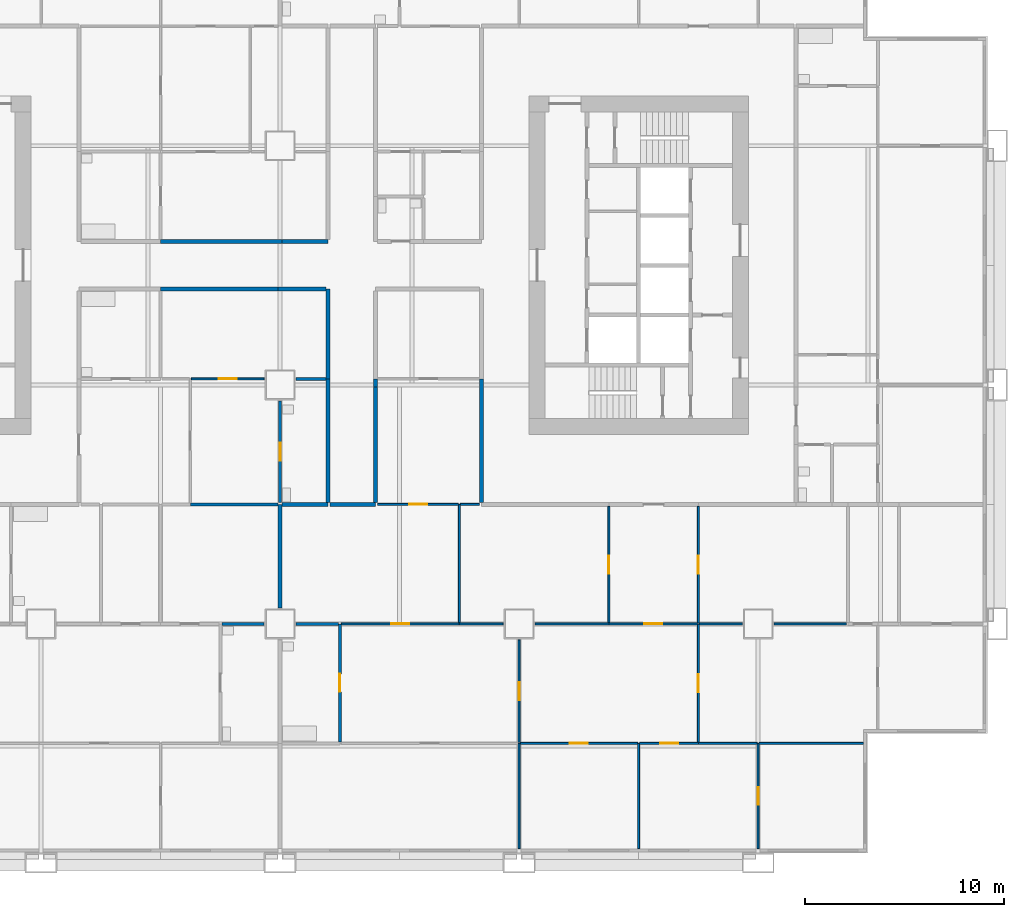
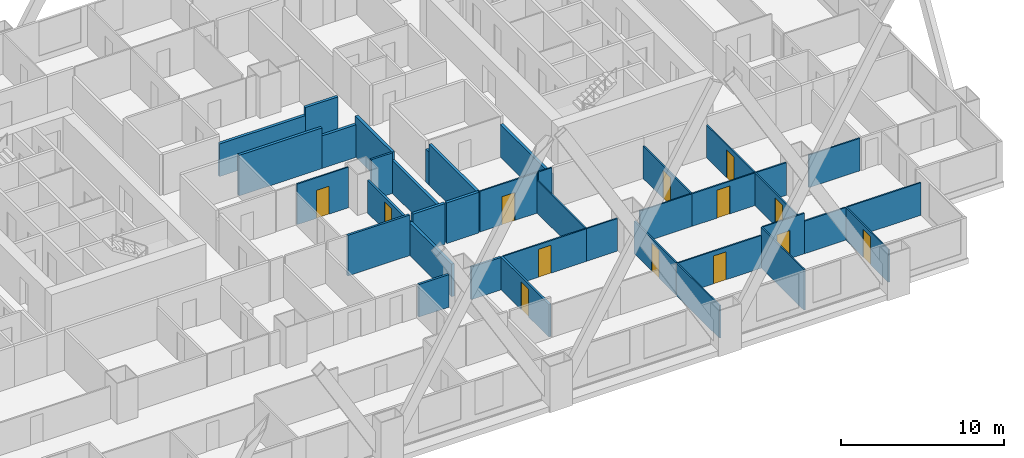
# One storey, part 5 of 13: 39 walls, 13 doors, 13 openings.
"""IFC4 building model written with IfcOpenShell, lengths in metres."""

from ifc_helpers import new_model, si_unit, direction, frame, frame_2d, origin, place, context, subcontext, project, spatial, rectangle, extrude, material, layer, layer_set, type_object, element, fill, save


model = new_model("IFC4")

# Units and contexts
model_context = context("Model", 3, precision=1e-05, world=origin(), true_north=direction((0.0, 1.0)))
body_context = subcontext(model_context, "Body", "Model", "MODEL_VIEW")
ifc_project = project(units=[si_unit("LENGTHUNIT", "METRE"), si_unit("AREAUNIT", "SQUARE_METRE"), si_unit("VOLUMEUNIT", "CUBIC_METRE"), si_unit("PLANEANGLEUNIT", "RADIAN"), si_unit("MASSUNIT", "GRAM", prefix="KILO")], contexts=[model_context])

# Site, building, storey
site_placement = place(None, origin())
site = spatial("IfcSite", under=ifc_project, at=site_placement, CompositionType="ELEMENT")
building_placement = place(site_placement, origin())
building = spatial("IfcBuilding", under=site, at=building_placement, Name="Kitamizu Gate Tower and Museum", CompositionType="ELEMENT")
storey_placement = place(building_placement, frame((0.0, 0.0, 71.39990234375)))
storey = spatial("IfcBuildingStorey", under=building, at=storey_placement, Name="L17", CompositionType="ELEMENT", Elevation=71.39990234375)

# Wall, opening, door
ifc_material_1 = material(Name="Gypsum board on galvanised stud")
ifc_layer_1 = layer(ifc_material_1, 0.10009765625)
ifc_layer_set_1 = layer_set([ifc_layer_1], Name="Gypsum board on galvanised stud")
wall_type_1 = type_object("IfcWallType", Name="Partition 100 NOT RATED", PredefinedType="PARTITIONING", material=ifc_layer_set_1)
wall_1_placement = place(storey_placement, frame((35.199951171875, 24.300048828125, 0.0), z_axis=(0.0, 0.0, 1.0), x_axis=(-1.0, 0.0, 0.0)))
wall_1 = element("IfcWall", 1, at=wall_1_placement, inside=storey, type_object=wall_type_1, Name="Partition L17-044", PredefinedType="PARTITIONING", context=body_context, shape_type="SweptSolid", body=[
    extrude(rectangle(XDim=3.64990234375, YDim=0.10009765625, at=frame_2d((1.824951171875, 0.0))), origin(), (0.0, 0.0, 1.0), 3.050048828125),
])
opening_1_placement = place(wall_1_placement, frame((1.375, 0.0, 0.0)))
opening_1 = element("IfcOpeningElement", 2, at=opening_1_placement, cuts=wall_1, Name="Opening L17-017", PredefinedType="OPENING", context=body_context, shape_type="SweptSolid", body=[
    extrude(rectangle(XDim=0.89990234375, YDim=2.10009765625, at=frame_2d((0.449951171875, 1.050048828125))), frame((0.0, 0.06005859375, 0.0), z_axis=(0.0, -1.0, 0.0), x_axis=(1.0, 0.0, 0.0)), (0.0, 0.0, 1.0), 0.1201171875),
])
ifc_material_2 = material(Name="Timber door set", Category="wood")
door_type_1 = type_object("IfcDoorType", Name="Room door 900", OperationType="NOTDEFINED", PredefinedType="DOOR", material=ifc_material_2)
door_1_placement = place(opening_1_placement, origin())
door_1 = element("IfcDoor", 3, at=door_1_placement, inside=storey, type_object=door_type_1, Name="Door L17-017", OperationType="SINGLE_SWING_LEFT", OverallHeight=2.10009765625, OverallWidth=0.89990234375, PredefinedType="DOOR", context=body_context, shape_type="SweptSolid", body=[
    extrude(rectangle(XDim=0.89990234375, YDim=2.10009765625, at=frame_2d((0.449951171875, 1.050048828125))), frame((0.0, 0.02490234375, 0.0), z_axis=(0.0, -1.0, 0.0), x_axis=(1.0, 0.0, 0.0)), (0.0, 0.0, 1.0), 0.050048828125),
])
fill(opening_1, door_1)

# Walls
wall_2_placement = place(storey_placement, frame((48.0, 0.719970703125, 0.0), z_axis=(0.0, 0.0, 1.0), x_axis=(0.0, 1.0, 0.0)))
element("IfcWall", 4, at=wall_2_placement, inside=storey, type_object=wall_type_1, Name="Partition L17-074", PredefinedType="PARTITIONING", context=body_context, shape_type="SweptSolid", body=[
    extrude(rectangle(XDim=5.280029296875, YDim=0.10009765625, at=frame_2d((2.64013671875, 0.0))), origin(), (0.0, 0.0, 1.0), 2.4501953125),
])
wall_3_placement = place(storey_placement, frame((54.0, 0.719970703125, 0.0), z_axis=(0.0, 0.0, 1.0), x_axis=(0.0, 1.0, 0.0)))
element("IfcWall", 5, at=wall_3_placement, inside=storey, type_object=wall_type_1, Name="Partition L17-077", PredefinedType="PARTITIONING", context=body_context, shape_type="SweptSolid", body=[
    extrude(rectangle(XDim=5.280029296875, YDim=0.10009765625, at=frame_2d((2.64013671875, 0.0))), origin(), (0.0, 0.0, 1.0), 3.050048828125),
])

# Wall, opening, door
wall_4_placement = place(storey_placement, frame((53.949951171875, 6.0, 0.0), z_axis=(0.0, 0.0, 1.0), x_axis=(-1.0, 0.0, 0.0)))
wall_4 = element("IfcWall", 6, at=wall_4_placement, inside=storey, type_object=wall_type_1, Name="Partition L17-078", PredefinedType="PARTITIONING", context=body_context, shape_type="SweptSolid", body=[
    extrude(rectangle(XDim=5.89990234375, YDim=0.10009765625, at=frame_2d((2.949951171875, 0.0))), origin(), (0.0, 0.0, 1.0), 2.4501953125),
])
opening_2_placement = place(wall_4_placement, frame((2.5, 0.0, 0.0)))
opening_2 = element("IfcOpeningElement", 7, at=opening_2_placement, cuts=wall_4, Name="Opening L17-034", PredefinedType="OPENING", context=body_context, shape_type="SweptSolid", body=[
    extrude(rectangle(XDim=0.89990234375, YDim=2.10009765625, at=frame_2d((0.449951171875, 1.050048828125))), frame((0.0, 0.06005859375, 0.0), z_axis=(0.0, -1.0, 0.0), x_axis=(1.0, 0.0, 0.0)), (0.0, 0.0, 1.0), 0.1201171875),
])
door_2_placement = place(opening_2_placement, origin())
door_2 = element("IfcDoor", 8, at=door_2_placement, inside=storey, type_object=door_type_1, Name="Door L17-034", OperationType="SINGLE_SWING_RIGHT", OverallHeight=2.10009765625, OverallWidth=0.89990234375, PredefinedType="DOOR", context=body_context, shape_type="SweptSolid", body=[
    extrude(rectangle(XDim=0.89990234375, YDim=2.10009765625, at=frame_2d((0.449951171875, 1.050048828125))), frame((0.0, 0.02490234375, 0.0), z_axis=(0.0, -1.0, 0.0), x_axis=(1.0, 0.0, 0.0)), (0.0, 0.0, 1.0), 0.050048828125),
])
fill(opening_2, door_2)

wall_5_placement = place(storey_placement, frame((60.0, 0.719970703125, 0.0), z_axis=(0.0, 0.0, 1.0), x_axis=(0.0, 1.0, 0.0)))
wall_5 = element("IfcWall", 9, at=wall_5_placement, inside=storey, type_object=wall_type_1, Name="Partition L17-079", PredefinedType="PARTITIONING", context=body_context, shape_type="SweptSolid", body=[
    extrude(rectangle(XDim=5.280029296875, YDim=0.10009765625, at=frame_2d((2.64013671875, 0.0))), origin(), (0.0, 0.0, 1.0), 2.4501953125),
])
opening_3_placement = place(wall_5_placement, frame((2.18994140625, 0.0, 0.0)))
opening_3 = element("IfcOpeningElement", 10, at=opening_3_placement, cuts=wall_5, Name="Opening L17-031", PredefinedType="OPENING", context=body_context, shape_type="SweptSolid", body=[
    extrude(rectangle(XDim=0.89990234375, YDim=2.10009765625, at=frame_2d((0.449951171875, 1.050048828125))), frame((0.0, 0.06005859375, 0.0), z_axis=(0.0, -1.0, 0.0), x_axis=(1.0, 0.0, 0.0)), (0.0, 0.0, 1.0), 0.1201171875),
])
door_3_placement = place(opening_3_placement, frame((0.89990234375, 0.0, 0.0), x_axis=(-1.0, 0.0, 0.0)))
door_3 = element("IfcDoor", 11, at=door_3_placement, inside=storey, type_object=door_type_1, Name="Door L17-031", OperationType="SINGLE_SWING_RIGHT", OverallHeight=2.10009765625, OverallWidth=0.89990234375, PredefinedType="DOOR", context=body_context, shape_type="SweptSolid", body=[
    extrude(rectangle(XDim=0.89990234375, YDim=2.10009765625, at=frame_2d((0.449951171875, 1.050048828125))), frame((0.0, 0.02490234375, 0.0), z_axis=(0.0, -1.0, 0.0), x_axis=(1.0, 0.0, 0.0)), (0.0, 0.0, 1.0), 0.050048828125),
])
fill(opening_3, door_3)

wall_6_placement = place(storey_placement, frame((57.0, 6.0, 0.0), z_axis=(0.0, 0.0, 1.0), x_axis=(-1.0, 0.0, 0.0)))
wall_6 = element("IfcWall", 12, at=wall_6_placement, inside=storey, type_object=wall_type_1, Name="Partition L17-080", PredefinedType="PARTITIONING", context=body_context, shape_type="SweptSolid", body=[
    extrude(rectangle(XDim=2.949951171875, YDim=0.10009765625, at=frame_2d((1.47509765625, 0.0))), origin(), (0.0, 0.0, 1.0), 3.050048828125),
])
opening_4_placement = place(wall_6_placement, frame((1.02490234375, 0.0, 0.0)))
opening_4 = element("IfcOpeningElement", 13, at=opening_4_placement, cuts=wall_6, Name="Opening L17-028", PredefinedType="OPENING", context=body_context, shape_type="SweptSolid", body=[
    extrude(rectangle(XDim=0.89990234375, YDim=2.10009765625, at=frame_2d((0.449951171875, 1.050048828125))), frame((0.0, 0.06005859375, 0.0), z_axis=(0.0, -1.0, 0.0), x_axis=(1.0, 0.0, 0.0)), (0.0, 0.0, 1.0), 0.1201171875),
])
door_4_placement = place(opening_4_placement, origin())
door_4 = element("IfcDoor", 14, at=door_4_placement, inside=storey, type_object=door_type_1, Name="Door L17-028", OperationType="SINGLE_SWING_LEFT", OverallHeight=2.10009765625, OverallWidth=0.89990234375, PredefinedType="DOOR", context=body_context, shape_type="SweptSolid", body=[
    extrude(rectangle(XDim=0.89990234375, YDim=2.10009765625, at=frame_2d((0.449951171875, 1.050048828125))), frame((0.0, 0.02490234375, 0.0), z_axis=(0.0, -1.0, 0.0), x_axis=(1.0, 0.0, 0.0)), (0.0, 0.0, 1.0), 0.050048828125),
])
fill(opening_4, door_4)

# Walls
wall_7_placement = place(storey_placement, frame((59.949951171875, 6.0, 0.0), z_axis=(0.0, 0.0, 1.0), x_axis=(-1.0, 0.0, 0.0)))
element("IfcWall", 15, at=wall_7_placement, inside=storey, type_object=wall_type_1, Name="Partition L17-081", PredefinedType="PARTITIONING", context=body_context, shape_type="SweptSolid", body=[
    extrude(rectangle(XDim=2.949951171875, YDim=0.10009765625, at=frame_2d((1.47509765625, 0.0))), origin(), (0.0, 0.0, 1.0), 2.4501953125),
])
wall_8_placement = place(storey_placement, frame((65.280029296875, 6.0, 0.0), z_axis=(0.0, 0.0, 1.0), x_axis=(-1.0, 0.0, 0.0)))
element("IfcWall", 16, at=wall_8_placement, inside=storey, type_object=wall_type_1, Name="Partition L17-082", PredefinedType="PARTITIONING", context=body_context, shape_type="SweptSolid", body=[
    extrude(rectangle(XDim=5.22998046875, YDim=0.10009765625, at=frame_2d((2.614990234375, 0.0))), origin(), (0.0, 0.0, 1.0), 2.4501953125),
])

# Wall, opening, door
wall_9_placement = place(storey_placement, frame((48.0, 6.050048828125, 0.0), z_axis=(0.0, 0.0, 1.0), x_axis=(0.0, 1.0, 0.0)))
wall_9 = element("IfcWall", 17, at=wall_9_placement, inside=storey, type_object=wall_type_1, Name="Partition L17-085", PredefinedType="PARTITIONING", context=body_context, shape_type="SweptSolid", body=[
    extrude(rectangle(XDim=5.14990234375, YDim=0.10009765625, at=frame_2d((2.574951171875, 0.0))), origin(), (0.0, 0.0, 1.0), 2.4501953125),
])
opening_5_placement = place(wall_9_placement, frame((2.125, 0.0, 0.0)))
opening_5 = element("IfcOpeningElement", 18, at=opening_5_placement, cuts=wall_9, Name="Opening L17-029", PredefinedType="OPENING", context=body_context, shape_type="SweptSolid", body=[
    extrude(rectangle(XDim=0.89990234375, YDim=2.10009765625, at=frame_2d((0.449951171875, 1.050048828125))), frame((0.0, 0.06005859375, 0.0), z_axis=(0.0, -1.0, 0.0), x_axis=(1.0, 0.0, 0.0)), (0.0, 0.0, 1.0), 0.1201171875),
])
door_5_placement = place(opening_5_placement, frame((0.89990234375, 0.0, 0.0), x_axis=(-1.0, 0.0, 0.0)))
door_5 = element("IfcDoor", 19, at=door_5_placement, inside=storey, type_object=door_type_1, Name="Door L17-029", OperationType="SINGLE_SWING_RIGHT", OverallHeight=2.10009765625, OverallWidth=0.89990234375, PredefinedType="DOOR", context=body_context, shape_type="SweptSolid", body=[
    extrude(rectangle(XDim=0.89990234375, YDim=2.10009765625, at=frame_2d((0.449951171875, 1.050048828125))), frame((0.0, 0.02490234375, 0.0), z_axis=(0.0, -1.0, 0.0), x_axis=(1.0, 0.0, 0.0)), (0.0, 0.0, 1.0), 0.050048828125),
])
fill(opening_5, door_5)

wall_10_placement = place(storey_placement, frame((45.0, 12.0, 0.0), z_axis=(0.0, 0.0, 1.0), x_axis=(-1.0, 0.0, 0.0)))
wall_10 = element("IfcWall", 20, at=wall_10_placement, inside=storey, type_object=wall_type_1, Name="Partition L17-086", PredefinedType="PARTITIONING", context=body_context, shape_type="SweptSolid", body=[
    extrude(rectangle(XDim=5.925048828125, YDim=0.10009765625, at=frame_2d((2.96240234375, 0.0))), origin(), (0.0, 0.0, 1.0), 2.4501953125),
])
opening_6_placement = place(wall_10_placement, frame((2.512451171875, 0.0, 0.0)))
opening_6 = element("IfcOpeningElement", 21, at=opening_6_placement, cuts=wall_10, Name="Opening L17-036", PredefinedType="OPENING", context=body_context, shape_type="SweptSolid", body=[
    extrude(rectangle(XDim=0.89990234375, YDim=2.10009765625, at=frame_2d((0.449951171875, 1.050048828125))), frame((0.0, 0.06005859375, 0.0), z_axis=(0.0, -1.0, 0.0), x_axis=(1.0, 0.0, 0.0)), (0.0, 0.0, 1.0), 0.1201171875),
])
door_6_placement = place(opening_6_placement, frame((0.89990234375, 0.0, 0.0), x_axis=(-1.0, 0.0, 0.0)))
door_6 = element("IfcDoor", 22, at=door_6_placement, inside=storey, type_object=door_type_1, Name="Door L17-036", OperationType="SINGLE_SWING_LEFT", OverallHeight=2.10009765625, OverallWidth=0.89990234375, PredefinedType="DOOR", context=body_context, shape_type="SweptSolid", body=[
    extrude(rectangle(XDim=0.89990234375, YDim=2.10009765625, at=frame_2d((0.449951171875, 1.050048828125))), frame((0.0, 0.02490234375, 0.0), z_axis=(0.0, -1.0, 0.0), x_axis=(1.0, 0.0, 0.0)), (0.0, 0.0, 1.0), 0.050048828125),
])
fill(opening_6, door_6)

# Wall
wall_11_placement = place(storey_placement, frame((47.199951171875, 12.0, 0.0), z_axis=(0.0, 0.0, 1.0), x_axis=(-1.0, 0.0, 0.0)))
element("IfcWall", 23, at=wall_11_placement, inside=storey, type_object=wall_type_1, Name="Partition L17-087", PredefinedType="PARTITIONING", context=body_context, shape_type="SweptSolid", body=[
    extrude(rectangle(XDim=2.199951171875, YDim=0.10009765625, at=frame_2d((1.10009765625, 0.0))), origin(), (0.0, 0.0, 1.0), 2.4501953125),
])

# Wall, opening, door
wall_12_placement = place(storey_placement, frame((57.0, 6.050048828125, 0.0), z_axis=(0.0, 0.0, 1.0), x_axis=(0.0, 1.0, 0.0)))
wall_12 = element("IfcWall", 24, at=wall_12_placement, inside=storey, type_object=wall_type_1, Name="Partition L17-088", PredefinedType="PARTITIONING", context=body_context, shape_type="SweptSolid", body=[
    extrude(rectangle(XDim=5.949951171875, YDim=0.10009765625, at=frame_2d((2.97509765625, 0.0))), origin(), (0.0, 0.0, 1.0), 2.4501953125),
])
opening_7_placement = place(wall_12_placement, frame((2.52490234375, 0.0, 0.0)))
opening_7 = element("IfcOpeningElement", 25, at=opening_7_placement, cuts=wall_12, Name="Opening L17-030", PredefinedType="OPENING", context=body_context, shape_type="SweptSolid", body=[
    extrude(rectangle(XDim=0.89990234375, YDim=2.10009765625, at=frame_2d((0.449951171875, 1.050048828125))), frame((0.0, 0.06005859375, 0.0), z_axis=(0.0, -1.0, 0.0), x_axis=(1.0, 0.0, 0.0)), (0.0, 0.0, 1.0), 0.1201171875),
])
door_7_placement = place(opening_7_placement, frame((0.89990234375, 0.0, 0.0), x_axis=(-1.0, 0.0, 0.0)))
door_7 = element("IfcDoor", 26, at=door_7_placement, inside=storey, type_object=door_type_1, Name="Door L17-030", OperationType="SINGLE_SWING_LEFT", OverallHeight=2.10009765625, OverallWidth=0.89990234375, PredefinedType="DOOR", context=body_context, shape_type="SweptSolid", body=[
    extrude(rectangle(XDim=0.89990234375, YDim=2.10009765625, at=frame_2d((0.449951171875, 1.050048828125))), frame((0.0, 0.02490234375, 0.0), z_axis=(0.0, -1.0, 0.0), x_axis=(1.0, 0.0, 0.0)), (0.0, 0.0, 1.0), 0.050048828125),
])
fill(opening_7, door_7)

# Wall
wall_13_placement = place(storey_placement, frame((52.5, 12.0, 0.0), z_axis=(0.0, 0.0, 1.0), x_axis=(-1.0, 0.0, 0.0)))
element("IfcWall", 27, at=wall_13_placement, inside=storey, type_object=wall_type_1, Name="Partition L17-089", PredefinedType="PARTITIONING", context=body_context, shape_type="SweptSolid", body=[
    extrude(rectangle(XDim=3.699951171875, YDim=0.10009765625, at=frame_2d((1.85009765625, 0.0))), origin(), (0.0, 0.0, 1.0), 2.4501953125),
])

# Wall, opening, door
wall_14_placement = place(storey_placement, frame((56.949951171875, 12.0, 0.0), z_axis=(0.0, 0.0, 1.0), x_axis=(-1.0, 0.0, 0.0)))
wall_14 = element("IfcWall", 28, at=wall_14_placement, inside=storey, type_object=wall_type_1, Name="Partition L17-090", PredefinedType="PARTITIONING", context=body_context, shape_type="SweptSolid", body=[
    extrude(rectangle(XDim=4.449951171875, YDim=0.10009765625, at=frame_2d((2.22509765625, 0.0))), origin(), (0.0, 0.0, 1.0), 2.4501953125),
])
opening_8_placement = place(wall_14_placement, frame((1.77490234375, 0.0, 0.0)))
opening_8 = element("IfcOpeningElement", 29, at=opening_8_placement, cuts=wall_14, Name="Opening L17-027", PredefinedType="OPENING", context=body_context, shape_type="SweptSolid", body=[
    extrude(rectangle(XDim=0.89990234375, YDim=2.10009765625, at=frame_2d((0.449951171875, 1.050048828125))), frame((0.0, 0.06005859375, 0.0), z_axis=(0.0, -1.0, 0.0), x_axis=(1.0, 0.0, 0.0)), (0.0, 0.0, 1.0), 0.1201171875),
])
door_8_placement = place(opening_8_placement, origin())
door_8 = element("IfcDoor", 30, at=door_8_placement, inside=storey, type_object=door_type_1, Name="Door L17-027", OperationType="SINGLE_SWING_RIGHT", OverallHeight=2.10009765625, OverallWidth=0.89990234375, PredefinedType="DOOR", context=body_context, shape_type="SweptSolid", body=[
    extrude(rectangle(XDim=0.89990234375, YDim=2.10009765625, at=frame_2d((0.449951171875, 1.050048828125))), frame((0.0, 0.02490234375, 0.0), z_axis=(0.0, -1.0, 0.0), x_axis=(1.0, 0.0, 0.0)), (0.0, 0.0, 1.0), 0.050048828125),
])
fill(opening_8, door_8)

# Walls
wall_15_placement = place(storey_placement, frame((59.199951171875, 12.0, 0.0), z_axis=(0.0, 0.0, 1.0), x_axis=(-1.0, 0.0, 0.0)))
element("IfcWall", 31, at=wall_15_placement, inside=storey, type_object=wall_type_1, Name="Partition L17-092", PredefinedType="PARTITIONING", context=body_context, shape_type="SweptSolid", body=[
    extrude(rectangle(XDim=2.14990234375, YDim=0.10009765625, at=frame_2d((1.074951171875, 0.0))), origin(), (0.0, 0.0, 1.0), 2.4501953125),
])
wall_16_placement = place(storey_placement, frame((64.425048828125, 12.0, 0.0), z_axis=(0.0, 0.0, 1.0), x_axis=(-1.0, 0.0, 0.0)))
element("IfcWall", 32, at=wall_16_placement, inside=storey, type_object=wall_type_1, Name="Partition L17-093", PredefinedType="PARTITIONING", context=body_context, shape_type="SweptSolid", body=[
    extrude(rectangle(XDim=3.625, YDim=0.10009765625, at=frame_2d((1.8125, 0.0))), origin(), (0.0, 0.0, 1.0), 2.4501953125),
])
wall_17_placement = place(storey_placement, frame((45.0, 12.050048828125, 0.0), z_axis=(0.0, 0.0, 1.0), x_axis=(0.0, 1.0, 0.0)))
element("IfcWall", 33, at=wall_17_placement, inside=storey, type_object=wall_type_1, Name="Partition L17-097", PredefinedType="PARTITIONING", context=body_context, shape_type="SweptSolid", body=[
    extrude(rectangle(XDim=5.949951171875, YDim=0.10009765625, at=frame_2d((2.97509765625, 0.0))), origin(), (0.0, 0.0, 1.0), 2.4501953125),
])

# Wall, opening, door
wall_18_placement = place(storey_placement, frame((44.949951171875, 18.0, 0.0), z_axis=(0.0, 0.0, 1.0), x_axis=(-1.0, 0.0, 0.0)))
wall_18 = element("IfcWall", 34, at=wall_18_placement, inside=storey, type_object=wall_type_1, Name="Partition L17-098", PredefinedType="PARTITIONING", context=body_context, shape_type="SweptSolid", body=[
    extrude(rectangle(XDim=4.050048828125, YDim=0.10009765625, at=frame_2d((2.02490234375, 0.0))), origin(), (0.0, 0.0, 1.0), 3.050048828125),
])
opening_9_placement = place(wall_18_placement, frame((1.574951171875, 0.0, 0.0)))
opening_9 = element("IfcOpeningElement", 35, at=opening_9_placement, cuts=wall_18, Name="Opening L17-041", PredefinedType="OPENING", context=body_context, shape_type="SweptSolid", body=[
    extrude(rectangle(XDim=0.89990234375, YDim=2.10009765625, at=frame_2d((0.449951171875, 1.050048828125))), frame((0.0, 0.06005859375, 0.0), z_axis=(0.0, -1.0, 0.0), x_axis=(1.0, 0.0, 0.0)), (0.0, 0.0, 1.0), 0.1201171875),
])
door_9_placement = place(opening_9_placement, frame((0.89990234375, 0.0, 0.0), x_axis=(-1.0, 0.0, 0.0)))
door_9 = element("IfcDoor", 36, at=door_9_placement, inside=storey, type_object=door_type_1, Name="Door L17-041", OperationType="SINGLE_SWING_LEFT", OverallHeight=2.10009765625, OverallWidth=0.89990234375, PredefinedType="DOOR", context=body_context, shape_type="SweptSolid", body=[
    extrude(rectangle(XDim=0.89990234375, YDim=2.10009765625, at=frame_2d((0.449951171875, 1.050048828125))), frame((0.0, 0.02490234375, 0.0), z_axis=(0.0, -1.0, 0.0), x_axis=(1.0, 0.0, 0.0)), (0.0, 0.0, 1.0), 0.050048828125),
])
fill(opening_9, door_9)

wall_19_placement = place(storey_placement, frame((52.5, 12.050048828125, 0.0), z_axis=(0.0, 0.0, 1.0), x_axis=(0.0, 1.0, 0.0)))
wall_19 = element("IfcWall", 37, at=wall_19_placement, inside=storey, type_object=wall_type_1, Name="Partition L17-100", PredefinedType="PARTITIONING", context=body_context, shape_type="SweptSolid", body=[
    extrude(rectangle(XDim=5.849853515625, YDim=0.10009765625, at=frame_2d((2.9248046875, 0.0))), origin(), (0.0, 0.0, 1.0), 2.4501953125),
])
opening_10_placement = place(wall_19_placement, frame((2.47509765625, 0.0, 0.0)))
opening_10 = element("IfcOpeningElement", 38, at=opening_10_placement, cuts=wall_19, Name="Opening L17-037", PredefinedType="OPENING", context=body_context, shape_type="SweptSolid", body=[
    extrude(rectangle(XDim=0.89990234375, YDim=2.10009765625, at=frame_2d((0.449951171875, 1.050048828125))), frame((0.0, 0.06005859375, 0.0), z_axis=(0.0, -1.0, 0.0), x_axis=(1.0, 0.0, 0.0)), (0.0, 0.0, 1.0), 0.1201171875),
])
door_10_placement = place(opening_10_placement, origin())
door_10 = element("IfcDoor", 39, at=door_10_placement, inside=storey, type_object=door_type_1, Name="Door L17-037", OperationType="SINGLE_SWING_LEFT", OverallHeight=2.10009765625, OverallWidth=0.89990234375, PredefinedType="DOOR", context=body_context, shape_type="SweptSolid", body=[
    extrude(rectangle(XDim=0.89990234375, YDim=2.10009765625, at=frame_2d((0.449951171875, 1.050048828125))), frame((0.0, 0.02490234375, 0.0), z_axis=(0.0, -1.0, 0.0), x_axis=(1.0, 0.0, 0.0)), (0.0, 0.0, 1.0), 0.050048828125),
])
fill(opening_10, door_10)

# Wall
wall_20_placement = place(storey_placement, frame((46.0, 18.0, 0.0), z_axis=(0.0, 0.0, 1.0), x_axis=(-1.0, 0.0, 0.0)))
element("IfcWall", 40, at=wall_20_placement, inside=storey, type_object=wall_type_1, Name="Partition L17-101", PredefinedType="PARTITIONING", context=body_context, shape_type="SweptSolid", body=[
    extrude(rectangle(XDim=0.949951171875, YDim=0.10009765625, at=frame_2d((0.47509765625, 0.0))), origin(), (0.0, 0.0, 1.0), 3.050048828125),
])

# Wall, opening, door
wall_21_placement = place(storey_placement, frame((57.0, 12.050048828125, 0.0), z_axis=(0.0, 0.0, 1.0), x_axis=(0.0, 1.0, 0.0)))
wall_21 = element("IfcWall", 41, at=wall_21_placement, inside=storey, type_object=wall_type_1, Name="Partition L17-103", PredefinedType="PARTITIONING", context=body_context, shape_type="SweptSolid", body=[
    extrude(rectangle(XDim=5.849853515625, YDim=0.10009765625, at=frame_2d((2.9248046875, 0.0))), origin(), (0.0, 0.0, 1.0), 2.4501953125),
])
opening_11_placement = place(wall_21_placement, frame((2.47509765625, 0.0, 0.0)))
opening_11 = element("IfcOpeningElement", 42, at=opening_11_placement, cuts=wall_21, Name="Opening L17-038", PredefinedType="OPENING", context=body_context, shape_type="SweptSolid", body=[
    extrude(rectangle(XDim=0.89990234375, YDim=2.10009765625, at=frame_2d((0.449951171875, 1.050048828125))), frame((0.0, 0.06005859375, 0.0), z_axis=(0.0, -1.0, 0.0), x_axis=(1.0, 0.0, 0.0)), (0.0, 0.0, 1.0), 0.1201171875),
])
door_11_placement = place(opening_11_placement, frame((0.89990234375, 0.0, 0.0), x_axis=(-1.0, 0.0, 0.0)))
door_11 = element("IfcDoor", 43, at=door_11_placement, inside=storey, type_object=door_type_1, Name="Door L17-038", OperationType="SINGLE_SWING_LEFT", OverallHeight=2.10009765625, OverallWidth=0.89990234375, PredefinedType="DOOR", context=body_context, shape_type="SweptSolid", body=[
    extrude(rectangle(XDim=0.89990234375, YDim=2.10009765625, at=frame_2d((0.449951171875, 1.050048828125))), frame((0.0, 0.02490234375, 0.0), z_axis=(0.0, -1.0, 0.0), x_axis=(1.0, 0.0, 0.0)), (0.0, 0.0, 1.0), 0.050048828125),
])
fill(opening_11, door_11)

# Walls
ifc_material_3 = material(Name="Gypsum board on galvanised stud")
ifc_layer_2 = layer(ifc_material_3, 0.14990234375)
ifc_layer_set_2 = layer_set([ifc_layer_2], Name="Gypsum board on galvanised stud")
wall_type_2 = type_object("IfcWallType", Name="Partition 150", PredefinedType="PARTITIONING", material=ifc_layer_set_2)
wall_22_placement = place(storey_placement, frame((35.199951171875, 12.0, 0.0), z_axis=(0.0, 0.0, 1.0), x_axis=(-1.0, 0.0, 0.0)))
element("IfcWall", 44, at=wall_22_placement, inside=storey, type_object=wall_type_2, Name="Partition L17-019", PredefinedType="PARTITIONING", context=body_context, shape_type="SweptSolid", body=[
    extrude(rectangle(XDim=2.125, YDim=0.14990234375, at=frame_2d((1.0625, 0.0))), origin(), (0.0, 0.0, 1.0), 2.4501953125),
])
wall_23_placement = place(storey_placement, frame((35.89990234375, 18.0, 0.0), z_axis=(0.0, 0.0, 1.0), x_axis=(-1.0, 0.0, 0.0)))
element("IfcWall", 45, at=wall_23_placement, inside=storey, type_object=wall_type_2, Name="Partition L17-036", PredefinedType="PARTITIONING", context=body_context, shape_type="SweptSolid", body=[
    extrude(rectangle(XDim=4.39990234375, YDim=0.14990234375, at=frame_2d((2.199951171875, 0.0))), origin(), (0.0, 0.0, 1.0), 3.050048828125),
])

# Wall, opening, door
wall_24_placement = place(storey_placement, frame((36.0, 18.10009765625, 0.0), z_axis=(0.0, 0.0, 1.0), x_axis=(0.0, 1.0, 0.0)))
wall_24 = element("IfcWall", 46, at=wall_24_placement, inside=storey, type_object=wall_type_2, Name="Partition L17-043", PredefinedType="PARTITIONING", context=body_context, shape_type="SweptSolid", body=[
    extrude(rectangle(XDim=5.099853515625, YDim=0.14990234375, at=frame_2d((2.5498046875, 0.0))), origin(), (0.0, 0.0, 1.0), 2.4501953125),
])
opening_12_placement = place(wall_24_placement, frame((2.10009765625, 0.0, 0.0)))
opening_12 = element("IfcOpeningElement", 47, at=opening_12_placement, cuts=wall_24, Name="Opening L17-015", PredefinedType="OPENING", context=body_context, shape_type="SweptSolid", body=[
    extrude(rectangle(XDim=0.89990234375, YDim=2.10009765625, at=frame_2d((0.449951171875, 1.050048828125))), frame((0.0, 0.0849609375, 0.0), z_axis=(0.0, -1.0, 0.0), x_axis=(1.0, 0.0, 0.0)), (0.0, 0.0, 1.0), 0.169921875),
])
ifc_material_4 = material(Name="Timber door set", Category="wood")
door_type_2 = type_object("IfcDoorType", Name="Bathroom door 900", OperationType="NOTDEFINED", PredefinedType="DOOR", material=ifc_material_4)
door_12_placement = place(opening_12_placement, frame((0.89990234375, 0.0, 0.0), x_axis=(-1.0, 0.0, 0.0)))
door_12 = element("IfcDoor", 48, at=door_12_placement, inside=storey, type_object=door_type_2, Name="Bathroom door L17-015", OperationType="SINGLE_SWING_RIGHT", OverallHeight=2.10009765625, OverallWidth=0.89990234375, PredefinedType="DOOR", context=body_context, shape_type="SweptSolid", body=[
    extrude(rectangle(XDim=0.89990234375, YDim=2.10009765625, at=frame_2d((0.449951171875, 1.050048828125))), frame((0.0, 0.02490234375, 0.0), z_axis=(0.0, -1.0, 0.0), x_axis=(1.0, 0.0, 0.0)), (0.0, 0.0, 1.0), 0.050048828125),
])
fill(opening_12, door_12)

# Wall
wall_25_placement = place(storey_placement, frame((38.300048828125, 24.300048828125, 0.0), z_axis=(0.0, 0.0, 1.0), x_axis=(-1.0, 0.0, 0.0)))
element("IfcWall", 49, at=wall_25_placement, inside=storey, type_object=wall_type_2, Name="Partition L17-045", PredefinedType="PARTITIONING", context=body_context, shape_type="SweptSolid", body=[
    extrude(rectangle(XDim=1.5, YDim=0.14990234375, at=frame_2d((0.75, 0.0))), origin(), (0.0, 0.0, 1.0), 3.050048828125),
])

# Wall, opening, door
wall_26_placement = place(storey_placement, frame((39.0, 6.074951171875, 0.0), z_axis=(0.0, 0.0, 1.0), x_axis=(0.0, 1.0, 0.0)))
wall_26 = element("IfcWall", 50, at=wall_26_placement, inside=storey, type_object=wall_type_2, Name="Partition L17-083", PredefinedType="PARTITIONING", context=body_context, shape_type="SweptSolid", body=[
    extrude(rectangle(XDim=5.925048828125, YDim=0.14990234375, at=frame_2d((2.96240234375, 0.0))), origin(), (0.0, 0.0, 1.0), 2.4501953125),
])
opening_13_placement = place(wall_26_placement, frame((2.512451171875, 0.0, 0.0)))
opening_13 = element("IfcOpeningElement", 51, at=opening_13_placement, cuts=wall_26, Name="Opening L17-035", PredefinedType="OPENING", context=body_context, shape_type="SweptSolid", body=[
    extrude(rectangle(XDim=0.89990234375, YDim=2.10009765625, at=frame_2d((0.449951171875, 1.050048828125))), frame((0.0, 0.0849609375, 0.0), z_axis=(0.0, -1.0, 0.0), x_axis=(1.0, 0.0, 0.0)), (0.0, 0.0, 1.0), 0.169921875),
])
door_13_placement = place(opening_13_placement, origin())
door_13 = element("IfcDoor", 52, at=door_13_placement, inside=storey, type_object=door_type_2, Name="Bathroom door L17-035", OperationType="SINGLE_SWING_LEFT", OverallHeight=2.10009765625, OverallWidth=0.89990234375, PredefinedType="DOOR", context=body_context, shape_type="SweptSolid", body=[
    extrude(rectangle(XDim=0.89990234375, YDim=2.10009765625, at=frame_2d((0.449951171875, 1.050048828125))), frame((0.0, 0.02490234375, 0.0), z_axis=(0.0, -1.0, 0.0), x_axis=(1.0, 0.0, 0.0)), (0.0, 0.0, 1.0), 0.050048828125),
])
fill(opening_13, door_13)

# Walls
wall_27_placement = place(storey_placement, frame((38.925048828125, 12.0, 0.0), z_axis=(0.0, 0.0, 1.0), x_axis=(-1.0, 0.0, 0.0)))
element("IfcWall", 53, at=wall_27_placement, inside=storey, type_object=wall_type_2, Name="Partition L17-084", PredefinedType="PARTITIONING", context=body_context, shape_type="SweptSolid", body=[
    extrude(rectangle(XDim=2.125, YDim=0.14990234375, at=frame_2d((1.0625, 0.0))), origin(), (0.0, 0.0, 1.0), 2.4501953125),
])
ifc_material_5 = material(Name="Gypsum board on galvanised stud")
ifc_layer_3 = layer(ifc_material_5, 0.199951171875)
ifc_layer_set_3 = layer_set([ifc_layer_3], Name="Gypsum board on galvanised stud")
wall_type_3 = type_object("IfcWallType", Name="Partition 200", PredefinedType="PARTITIONING", material=ifc_layer_set_3)
wall_28_placement = place(storey_placement, frame((36.0, 12.800048828125, 0.0), z_axis=(0.0, 0.0, 1.0), x_axis=(0.0, 1.0, 0.0)))
element("IfcWall", 54, at=wall_28_placement, inside=storey, type_object=wall_type_3, Name="Partition L17-037", PredefinedType="PARTITIONING", context=body_context, shape_type="SweptSolid", body=[
    extrude(rectangle(XDim=5.199951171875, YDim=0.199951171875, at=frame_2d((2.60009765625, 0.0))), origin(), (0.0, 0.0, 1.0), 2.4501953125),
])
wall_29_placement = place(storey_placement, frame((36.10009765625, 18.0, 0.0), z_axis=(0.0, 0.0, 1.0), x_axis=(1.0, 0.0, 0.0)))
element("IfcWall", 55, at=wall_29_placement, inside=storey, type_object=wall_type_3, Name="Partition L17-046", PredefinedType="PARTITIONING", context=body_context, shape_type="SweptSolid", body=[
    extrude(rectangle(XDim=2.2998046875, YDim=0.199951171875, at=frame_2d((1.14990234375, 0.0))), origin(), (0.0, 0.0, 1.0), 3.050048828125),
])
wall_30_placement = place(storey_placement, frame((38.39990234375, 18.10009765625, 0.0), z_axis=(0.0, 0.0, 1.0), x_axis=(0.0, 1.0, 0.0)))
element("IfcWall", 56, at=wall_30_placement, inside=storey, type_object=wall_type_3, Name="Partition L17-047", PredefinedType="PARTITIONING", context=body_context, shape_type="SweptSolid", body=[
    extrude(rectangle(XDim=6.199951171875, YDim=0.199951171875, at=frame_2d((3.10009765625, 0.0))), origin(), (0.0, 0.0, 1.0), 2.4501953125),
])
wall_31_placement = place(storey_placement, frame((38.39990234375, 24.300048828125, 0.0), z_axis=(0.0, 0.0, 1.0), x_axis=(0.0, 1.0, 0.0)))
element("IfcWall", 57, at=wall_31_placement, inside=storey, type_object=wall_type_3, Name="Partition L17-051", PredefinedType="PARTITIONING", context=body_context, shape_type="SweptSolid", body=[
    extrude(rectangle(XDim=4.5, YDim=0.199951171875, at=frame_2d((2.25, 0.0))), origin(), (0.0, 0.0, 1.0), 3.050048828125),
])
wall_32_placement = place(storey_placement, frame((38.300048828125, 28.800048828125, 0.0), z_axis=(0.0, 0.0, 1.0), x_axis=(-1.0, 0.0, 0.0)))
element("IfcWall", 58, at=wall_32_placement, inside=storey, type_object=wall_type_3, Name="Partition L17-052", PredefinedType="PARTITIONING", context=body_context, shape_type="SweptSolid", body=[
    extrude(rectangle(XDim=2.400146484375, YDim=0.199951171875, at=frame_2d((1.2001953125, 0.0))), origin(), (0.0, 0.0, 1.0), 2.4501953125),
])
wall_33_placement = place(storey_placement, frame((35.89990234375, 28.800048828125, 0.0), z_axis=(0.0, 0.0, 1.0), x_axis=(-1.0, 0.0, 0.0)))
element("IfcWall", 59, at=wall_33_placement, inside=storey, type_object=wall_type_3, Name="Partition L17-053", PredefinedType="PARTITIONING", context=body_context, shape_type="SweptSolid", body=[
    extrude(rectangle(XDim=5.89990234375, YDim=0.199951171875, at=frame_2d((2.949951171875, 0.0))), origin(), (0.0, 0.0, 1.0), 3.050048828125),
])
wall_34_placement = place(storey_placement, frame((40.800048828125, 18.0, 0.0), z_axis=(0.0, 0.0, 1.0), x_axis=(-1.0, 0.0, 0.0)))
element("IfcWall", 60, at=wall_34_placement, inside=storey, type_object=wall_type_3, Name="Partition L17-099", PredefinedType="PARTITIONING", context=body_context, shape_type="SweptSolid", body=[
    extrude(rectangle(XDim=2.300048828125, YDim=0.199951171875, at=frame_2d((1.14990234375, 0.0))), origin(), (0.0, 0.0, 1.0), 3.050048828125),
])
wall_35_placement = place(storey_placement, frame((40.800048828125, 24.300048828125, 0.0), z_axis=(0.0, 0.0, 1.0), x_axis=(0.0, -1.0, 0.0)))
element("IfcWall", 61, at=wall_35_placement, inside=storey, type_object=wall_type_3, Name="Partition L17-114", PredefinedType="PARTITIONING", context=body_context, shape_type="SweptSolid", body=[
    extrude(rectangle(XDim=0.400146484375, YDim=0.199951171875, at=frame_2d((0.2001953125, 0.0))), origin(), (0.0, 0.0, 1.0), 2.4501953125),
])
wall_36_placement = place(storey_placement, frame((40.800048828125, 23.89990234375, 0.0), z_axis=(0.0, 0.0, 1.0), x_axis=(0.0, -1.0, 0.0)))
element("IfcWall", 62, at=wall_36_placement, inside=storey, type_object=wall_type_3, Name="Partition L17-115", PredefinedType="PARTITIONING", context=body_context, shape_type="SweptSolid", body=[
    extrude(rectangle(XDim=5.7998046875, YDim=0.199951171875, at=frame_2d((2.89990234375, 0.0))), origin(), (0.0, 0.0, 1.0), 3.050048828125),
])
wall_37_placement = place(storey_placement, frame((46.10009765625, 18.10009765625, 0.0), z_axis=(0.0, 0.0, 1.0), x_axis=(0.0, 1.0, 0.0)))
element("IfcWall", 63, at=wall_37_placement, inside=storey, type_object=wall_type_3, Name="Partition L17-116", PredefinedType="PARTITIONING", context=body_context, shape_type="SweptSolid", body=[
    extrude(rectangle(XDim=6.199951171875, YDim=0.199951171875, at=frame_2d((3.10009765625, 0.0))), origin(), (0.0, 0.0, 1.0), 2.4501953125),
])
wall_38_placement = place(storey_placement, frame((30.0, 31.199951171875, 0.0), z_axis=(0.0, 0.0, 1.0), x_axis=(1.0, 0.0, 0.0)))
element("IfcWall", 64, at=wall_38_placement, inside=storey, type_object=wall_type_3, Name="Partition L17-168", PredefinedType="PARTITIONING", context=body_context, shape_type="SweptSolid", body=[
    extrude(rectangle(XDim=6.10009765625, YDim=0.199951171875, at=frame_2d((3.050048828125, 0.0))), origin(), (0.0, 0.0, 1.0), 2.4501953125),
])
wall_39_placement = place(storey_placement, frame((36.10009765625, 31.199951171875, 0.0), z_axis=(0.0, 0.0, 1.0), x_axis=(1.0, 0.0, 0.0)))
element("IfcWall", 65, at=wall_39_placement, inside=storey, type_object=wall_type_3, Name="Partition L17-169", PredefinedType="PARTITIONING", context=body_context, shape_type="SweptSolid", body=[
    extrude(rectangle(XDim=2.2998046875, YDim=0.199951171875, at=frame_2d((1.14990234375, 0.0))), origin(), (0.0, 0.0, 1.0), 3.050048828125),
])

save(model, "model.ifc")
